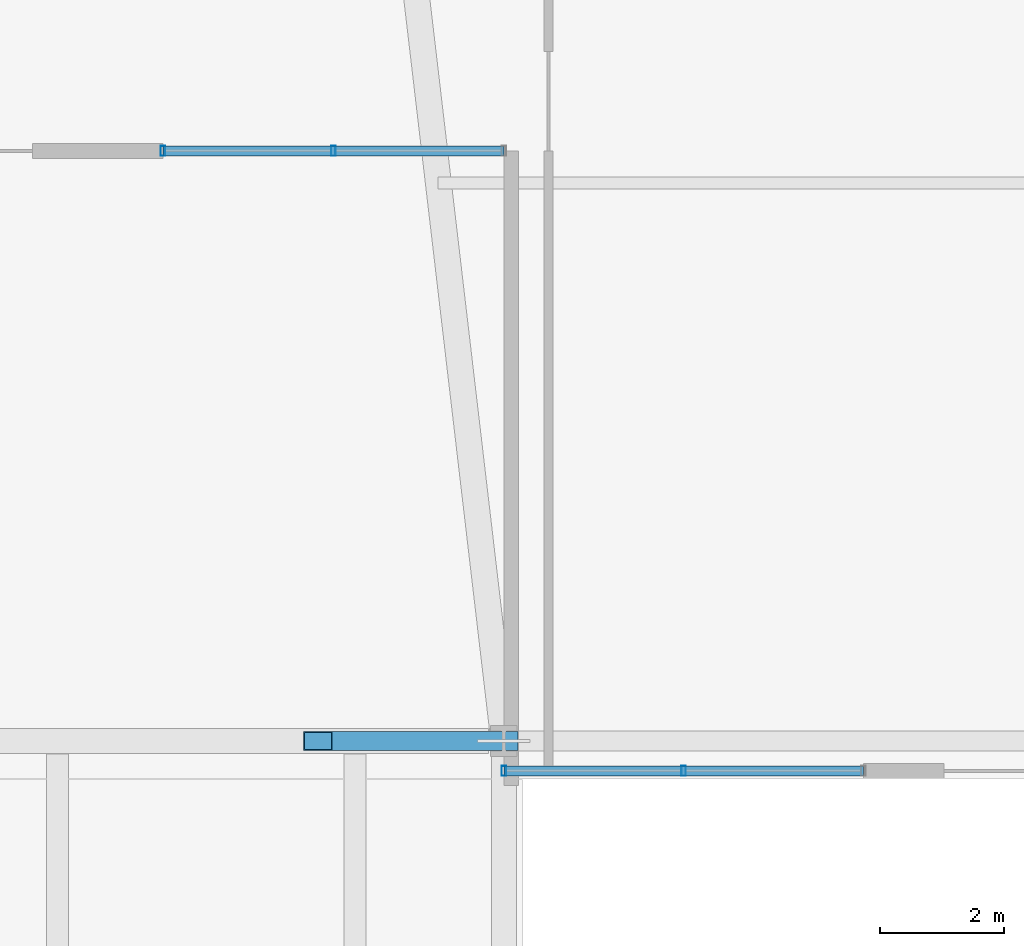
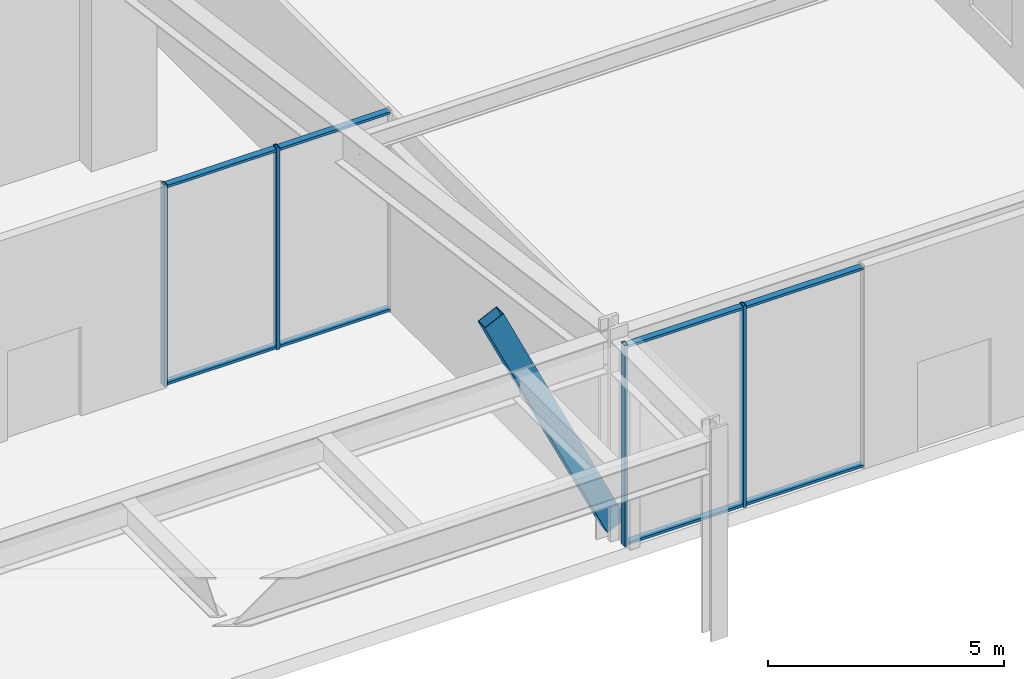
# One storey, part 10 of 24: 9 members, 2 elements without a shape of their own.
"""IFC4 building model written with IfcOpenShell, lengths in metres."""

from ifc_helpers import new_model, si_unit, direction, frame, origin, origin_2d, place, context, subcontext, project, spatial, hollow_rectangle, extrude, material, material_profile, profile_set, type_object, element, aggregate, save


model = new_model("IFC4")

# Units and contexts
model_context = context("Model", 3, precision=1e-05, world=origin(), true_north=direction((0.0, 1.0)))
body_context = subcontext(model_context, "Body", "Model", "MODEL_VIEW")
ifc_project = project(units=[si_unit("LENGTHUNIT", "METRE"), si_unit("AREAUNIT", "SQUARE_METRE"), si_unit("VOLUMEUNIT", "CUBIC_METRE"), si_unit("PLANEANGLEUNIT", "RADIAN"), si_unit("MASSUNIT", "GRAM", prefix="KILO")], contexts=[model_context])

# Site, building, storey
site_placement = place(None, origin())
site = spatial("IfcSite", under=ifc_project, at=site_placement, CompositionType="ELEMENT")
building_placement = place(site_placement, origin())
building = spatial("IfcBuilding", under=site, at=building_placement, Name="Kolvaren Belvedere", CompositionType="ELEMENT")
storey_placement = place(building_placement, origin())
storey = spatial("IfcBuildingStorey", under=building, at=storey_placement, Name="L01", CompositionType="ELEMENT", Elevation=0.0)

# Curtain wall, members
ifc_material_1 = material(Name="Anodised pale-metal aluminium AA 6063-T6", Category="aluminium")
curtain_wall_type = type_object("IfcCurtainWallType", Name="CW-POD-A", PredefinedType="NOTDEFINED", material=ifc_material_1)
curtain_wall_1_placement = place(storey_placement, origin())
curtain_wall_1 = element("IfcCurtainWall", 1, at=curtain_wall_1_placement, inside=storey, type_object=curtain_wall_type, Name="L01 Unitised Curtain Wall FCW-L01-PORT-E", PredefinedType="NOTDEFINED")
ifc_material_2 = material(Name="Anodised pale-metal aluminium AA 6063-T6", Category="aluminium")
ifc_material_profile_1 = material_profile(ifc_material_2, hollow_rectangle(XDim=0.074951171875, YDim=0.159912109375, WallThickness=0.00439453125, at=origin_2d()), Name="ALU-MUL-160X75")
ifc_profile_set_1 = profile_set([ifc_material_profile_1], Name="Anodised pale-metal aluminium AA 6063-T6")
member_type_1 = type_object("IfcMemberType", Name="CW-MUL-160", PredefinedType="MULLION", material=ifc_profile_set_1)
member_1_placement = place(storey_placement, frame((9.25, -18.280029296875, 0.0), z_axis=(0.0, 0.0, 1.0), x_axis=(1.0, 0.0, 0.0)))
member_1 = element("IfcMember", 2, at=member_1_placement, type_object=member_type_1, Name="FCW-L01-PORT-E Unitised Mullion 2", PredefinedType="MULLION", context=body_context, shape_type="SweptSolid", body=[
    extrude(hollow_rectangle(XDim=0.074951171875, YDim=0.159912109375, WallThickness=0.00439453125, at=origin_2d()), origin(), (0.0, 0.0, 1.0), 5.219970703125),
])
member_2_placement = place(storey_placement, frame((6.5, -18.280029296875, 0.0), z_axis=(0.0, 0.0, 1.0), x_axis=(1.0, 0.0, 0.0)))
member_2 = element("IfcMember", 3, at=member_2_placement, type_object=member_type_1, Name="FCW-L01-PORT-E Unitised Mullion 3", PredefinedType="MULLION", context=body_context, shape_type="SweptSolid", body=[
    extrude(hollow_rectangle(XDim=0.074951171875, YDim=0.159912109375, WallThickness=0.00439453125, at=origin_2d()), origin(), (0.0, 0.0, 1.0), 5.219970703125),
])

curtain_wall_2_placement = place(storey_placement, origin())
curtain_wall_2 = element("IfcCurtainWall", 4, at=curtain_wall_2_placement, inside=storey, type_object=curtain_wall_type, Name="L01 Unitised Curtain Wall FCW-L01-SE2", PredefinedType="NOTDEFINED")
member_3_placement = place(storey_placement, frame((14.89990234375, -28.280029296875, 0.0), z_axis=(0.0, 0.0, 1.0), x_axis=(1.0, 0.0, 0.0)))
member_3 = element("IfcMember", 5, at=member_3_placement, type_object=member_type_1, Name="FCW-L01-SE2 Unitised Mullion 2", PredefinedType="MULLION", context=body_context, shape_type="SweptSolid", body=[
    extrude(hollow_rectangle(XDim=0.074951171875, YDim=0.159912109375, WallThickness=0.00439453125, at=origin_2d()), origin(), (0.0, 0.0, 1.0), 5.219970703125),
])
member_4_placement = place(storey_placement, frame((12.0, -28.280029296875, 0.0), z_axis=(0.0, 0.0, 1.0), x_axis=(1.0, 0.0, 0.0)))
member_4 = element("IfcMember", 6, at=member_4_placement, type_object=member_type_1, Name="FCW-L01-SE2 Unitised Mullion 3", PredefinedType="MULLION", context=body_context, shape_type="SweptSolid", body=[
    extrude(hollow_rectangle(XDim=0.074951171875, YDim=0.159912109375, WallThickness=0.00439453125, at=origin_2d()), origin(), (0.0, 0.0, 1.0), 5.219970703125),
])

# Member
ifc_material_3 = material(Name="Anodised pale-metal aluminium AA 6063-T6", Category="aluminium")
ifc_material_profile_2 = material_profile(ifc_material_3, hollow_rectangle(XDim=0.06494140625, YDim=0.159912109375, WallThickness=0.00390625, at=origin_2d()), Name="ALU-TRN-160X65")
ifc_profile_set_2 = profile_set([ifc_material_profile_2], Name="Anodised pale-metal aluminium AA 6063-T6")
member_type_2 = type_object("IfcMemberType", Name="CW-TRN-160", PredefinedType="USERDEFINED", material=ifc_profile_set_2)
member_5_placement = place(storey_placement, frame((12.0, -18.280029296875, 0.06005859375), z_axis=(-1.0, 0.0, 0.0), x_axis=(0.0, 0.0, 1.0)))
member_5 = element("IfcMember", 7, at=member_5_placement, type_object=member_type_2, Name="FCW-L01-PORT-E Sill Transom", ObjectType="TRANSOM", PredefinedType="USERDEFINED", context=body_context, shape_type="SweptSolid", body=[
    extrude(hollow_rectangle(XDim=0.06494140625, YDim=0.159912109375, WallThickness=0.00390625, at=origin_2d()), origin(), (0.0, 0.0, 1.0), 5.5),
])

member_6_placement = place(storey_placement, frame((12.0, -18.280029296875, 5.159912109375), z_axis=(-1.0, 0.0, 0.0), x_axis=(0.0, 0.0, 1.0)))
member_6 = element("IfcMember", 8, at=member_6_placement, type_object=member_type_2, Name="FCW-L01-PORT-E Head Transom", ObjectType="TRANSOM", PredefinedType="USERDEFINED", context=body_context, shape_type="SweptSolid", body=[
    extrude(hollow_rectangle(XDim=0.06494140625, YDim=0.159912109375, WallThickness=0.00390625, at=origin_2d()), origin(), (0.0, 0.0, 1.0), 5.5),
])

aggregate(curtain_wall_1, [member_1, member_2, member_5, member_6])

member_7_placement = place(storey_placement, frame((17.800048828125, -28.280029296875, 0.06005859375), z_axis=(-1.0, 0.0, 0.0), x_axis=(0.0, 0.0, 1.0)))
member_7 = element("IfcMember", 9, at=member_7_placement, type_object=member_type_2, Name="FCW-L01-SE2 Sill Transom", ObjectType="TRANSOM", PredefinedType="USERDEFINED", context=body_context, shape_type="SweptSolid", body=[
    extrude(hollow_rectangle(XDim=0.06494140625, YDim=0.159912109375, WallThickness=0.00390625, at=origin_2d()), origin(), (0.0, 0.0, 1.0), 5.800048828125),
])

member_8_placement = place(storey_placement, frame((17.800048828125, -28.280029296875, 5.159912109375), z_axis=(-1.0, 0.0, 0.0), x_axis=(0.0, 0.0, 1.0)))
member_8 = element("IfcMember", 10, at=member_8_placement, type_object=member_type_2, Name="FCW-L01-SE2 Head Transom", ObjectType="TRANSOM", PredefinedType="USERDEFINED", context=body_context, shape_type="SweptSolid", body=[
    extrude(hollow_rectangle(XDim=0.06494140625, YDim=0.159912109375, WallThickness=0.00390625, at=origin_2d()), origin(), (0.0, 0.0, 1.0), 5.800048828125),
])

aggregate(curtain_wall_2, [member_3, member_4, member_7, member_8])

ifc_material_4 = material(Name="Structural steel ASTM A500 Grade C", Category="steel")
ifc_material_profile_3 = material_profile(ifc_material_4, hollow_rectangle(XDim=0.304931640625, YDim=0.508056640625, WallThickness=0.014892578125, at=origin_2d()), Name="HSS20X12X5/8")
ifc_profile_set_3 = profile_set([ifc_material_profile_3], Name="Structural steel ASTM A500 Grade C")
member_type_3 = type_object("IfcMemberType", Name="MB-ARCH-CHORD", PredefinedType="CHORD", material=ifc_profile_set_3)
member_9_placement = place(storey_placement, frame((9.0, -27.800048828125, 6.643798828125), z_axis=(0.427511970451, 0.0, -0.904009687515), x_axis=(0.0, 1.0, 0.0)))
element("IfcMember", 11, at=member_9_placement, inside=storey, type_object=member_type_3, Name="Giant Portal Arch Rib Chord AC-8", PredefinedType="CHORD", context=body_context, shape_type="SweptSolid", body=[
    extrude(hollow_rectangle(XDim=0.304931640625, YDim=0.508056640625, WallThickness=0.014892578125, at=origin_2d()), origin(), (0.0, 0.0, 1.0), 7.017333984375),
])

save(model, "model.ifc")
